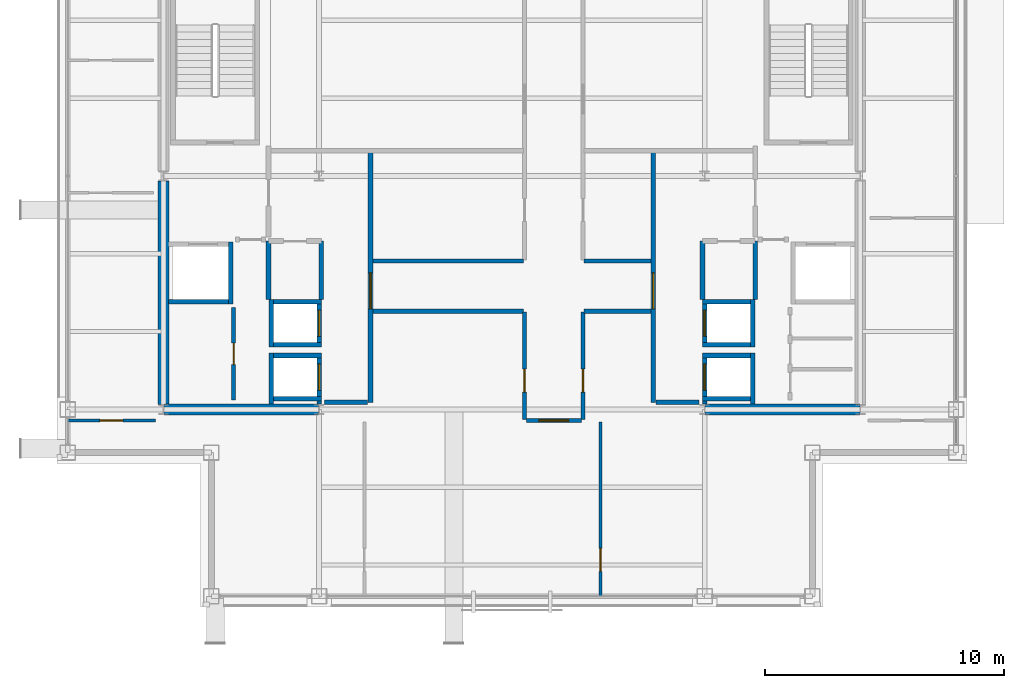
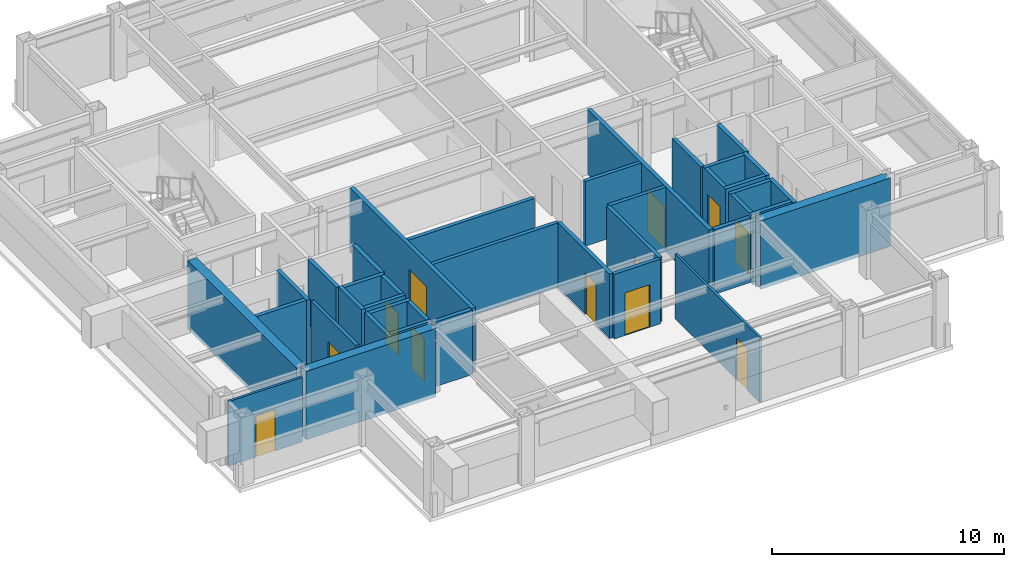
# One storey, part 17 of 20: 39 walls, 12 doors, 12 openings.
"""IFC4 building model written with IfcOpenShell, lengths in metres."""

from ifc_helpers import new_model, si_unit, direction, frame, frame_2d, origin, place, context, subcontext, project, spatial, rectangle, extrude, material, layer, layer_set, type_object, element, fill, save


model = new_model("IFC4")

# Units and contexts
model_context = context("Model", 3, precision=1e-05, world=origin(), true_north=direction((0.0, 1.0)))
body_context = subcontext(model_context, "Body", "Model", "MODEL_VIEW")
ifc_project = project(units=[si_unit("LENGTHUNIT", "METRE"), si_unit("AREAUNIT", "SQUARE_METRE"), si_unit("VOLUMEUNIT", "CUBIC_METRE"), si_unit("PLANEANGLEUNIT", "RADIAN"), si_unit("MASSUNIT", "GRAM", prefix="KILO")], contexts=[model_context])

# Site, building, storey
site_placement = place(None, origin())
site = spatial("IfcSite", under=ifc_project, at=site_placement, CompositionType="ELEMENT")
building_placement = place(site_placement, origin())
building = spatial("IfcBuilding", under=site, at=building_placement, Name="Brelmoor Portico Tower", CompositionType="ELEMENT")
storey_placement = place(building_placement, frame((0.0, 0.0, 243.60009765625)))
storey = spatial("IfcBuildingStorey", under=building, at=storey_placement, Name="L64", CompositionType="ELEMENT", Elevation=243.60009765625)

# Walls
ifc_material_1 = material(Name="Concrete C50", Category="concrete")
ifc_layer_1 = layer(ifc_material_1, 0.449951171875)
ifc_layer_set_1 = layer_set([ifc_layer_1], Name="Concrete C50")
wall_type_1 = type_object("IfcWallType", Name="WL-CORE-450", PredefinedType="SHEAR", material=ifc_layer_set_1)
wall_1_placement = place(storey_placement, frame((-14.530029296875, -9.75, -0.2001953125), z_axis=(0.0, 0.0, 1.0), x_axis=(1.0, 0.0, 0.0)))
element("IfcWall", 1, at=wall_1_placement, inside=storey, type_object=wall_type_1, Name="L64 WC South Shear Wall", PredefinedType="SHEAR", context=body_context, shape_type="SweptSolid", body=[
    extrude(rectangle(XDim=6.4599609375, YDim=0.449951171875, at=frame_2d((3.22998046875, 0.0))), origin(), (0.0, 0.0, 1.0), 3.60009765625),
])
wall_2_placement = place(storey_placement, frame((-14.550048828125, -9.550048828125, -0.2001953125), z_axis=(0.0, 0.0, 1.0), x_axis=(0.0, 1.0, 0.0)))
element("IfcWall", 2, at=wall_2_placement, inside=storey, type_object=wall_type_1, Name="L64 WC Outer South Shear Wall", PredefinedType="SHEAR", context=body_context, shape_type="SweptSolid", body=[
    extrude(rectangle(XDim=9.35009765625, YDim=0.449951171875, at=frame_2d((4.675048828125, 0.0))), origin(), (0.0, 0.0, 1.0), 3.60009765625),
])
wall_3_placement = place(storey_placement, frame((8.070068359375, -9.75, -0.2001953125), z_axis=(0.0, 0.0, 1.0), x_axis=(1.0, 0.0, 0.0)))
element("IfcWall", 3, at=wall_3_placement, inside=storey, type_object=wall_type_1, Name="L64 EC South Shear Wall", PredefinedType="SHEAR", context=body_context, shape_type="SweptSolid", body=[
    extrude(rectangle(XDim=6.4599609375, YDim=0.449951171875, at=frame_2d((3.22998046875, 0.0))), origin(), (0.0, 0.0, 1.0), 3.60009765625),
])

# Wall, opening, door
ifc_material_2 = material(Name="Lightweight Gypsum Office Partition", Category="gypsum")
ifc_layer_2 = layer(ifc_material_2, 0.1201171875)
ifc_layer_set_2 = layer_set([ifc_layer_2], Name="Lightweight Gypsum Office Partition")
wall_type_2 = type_object("IfcWallType", Name="WL-PART-120", PredefinedType="PARTITIONING", material=ifc_layer_set_2)
wall_4_placement = place(storey_placement, frame((3.697509765625, -17.56005859375, 0.0), z_axis=(0.0, 0.0, 1.0), x_axis=(0.0, 1.0, 0.0)))
wall_4 = element("IfcWall", 4, at=wall_4_placement, inside=storey, type_object=wall_type_2, Name="L64 South Suite Partition 2", PredefinedType="PARTITIONING", context=body_context, shape_type="SweptSolid", body=[
    extrude(rectangle(XDim=7.2900390625, YDim=0.1201171875, at=frame_2d((3.64501953125, 0.0))), origin(), (0.0, 0.0, 1.0), 3.39990234375),
])
opening_1_placement = place(wall_4_placement, frame((1.050048828125, 0.0, 0.0)))
opening_1 = element("IfcOpeningElement", 5, at=opening_1_placement, cuts=wall_4, Name="Opening D-IN2", PredefinedType="OPENING", context=body_context, shape_type="SweptSolid", body=[
    extrude(rectangle(XDim=0.9599609375, YDim=2.179931640625, at=frame_2d((0.47998046875, 1.08984375))), frame((0.0, 0.070068359375, 0.0), z_axis=(0.0, -1.0, 0.0), x_axis=(1.0, 0.0, 0.0)), (0.0, 0.0, 1.0), 0.14013671875),
])
ifc_material_3 = material(Name="Lacquered Timber Suite Door", Category="wood")
door_type_1 = type_object("IfcDoorType", Name="DR-INT-950", OperationType="NOTDEFINED", PredefinedType="DOOR", material=ifc_material_3)
door_1_placement = place(opening_1_placement, origin())
door_1 = element("IfcDoor", 6, at=door_1_placement, inside=storey, type_object=door_type_1, Name="D-2657 L64 South Suite Connecting Door 2", OperationType="SINGLE_SWING_LEFT", OverallHeight=2.179931640625, OverallWidth=0.9599609375, PredefinedType="DOOR", context=body_context, shape_type="SweptSolid", body=[
    extrude(rectangle(XDim=0.9599609375, YDim=2.179931640625, at=frame_2d((0.47998046875, 1.08984375))), frame((0.0, 0.02490234375, 0.0), z_axis=(0.0, -1.0, 0.0), x_axis=(1.0, 0.0, 0.0)), (0.0, 0.0, 1.0), 0.050048828125),
])
fill(opening_1, door_1)

wall_5_placement = place(storey_placement, frame((-18.56005859375, -10.2099609375, 0.0), z_axis=(0.0, 0.0, 1.0), x_axis=(1.0, 0.0, 0.0)))
wall_5 = element("IfcWall", 7, at=wall_5_placement, inside=storey, type_object=wall_type_2, Name="L64 South Wing Closure WL", PredefinedType="PARTITIONING", context=body_context, shape_type="SweptSolid", body=[
    extrude(rectangle(XDim=3.68017578125, YDim=0.1201171875, at=frame_2d((1.840087890625, 0.0))), origin(), (0.0, 0.0, 1.0), 3.39990234375),
])
opening_2_placement = place(wall_5_placement, frame((1.360107421875, 0.0, 0.0)))
opening_2 = element("IfcOpeningElement", 8, at=opening_2_placement, cuts=wall_5, Name="Opening D-IN2", PredefinedType="OPENING", context=body_context, shape_type="SweptSolid", body=[
    extrude(rectangle(XDim=0.9599609375, YDim=2.179931640625, at=frame_2d((0.47998046875, 1.08984375))), frame((0.0, 0.070068359375, 0.0), z_axis=(0.0, -1.0, 0.0), x_axis=(1.0, 0.0, 0.0)), (0.0, 0.0, 1.0), 0.14013671875),
])
door_2_placement = place(opening_2_placement, origin())
door_2 = element("IfcDoor", 9, at=door_2_placement, inside=storey, type_object=door_type_1, Name="D-2661 L64 WL Wing South Suite Door", OperationType="SINGLE_SWING_LEFT", OverallHeight=2.179931640625, OverallWidth=0.9599609375, PredefinedType="DOOR", context=body_context, shape_type="SweptSolid", body=[
    extrude(rectangle(XDim=0.9599609375, YDim=2.179931640625, at=frame_2d((0.47998046875, 1.08984375))), frame((0.0, 0.02490234375, 0.0), z_axis=(0.0, -1.0, 0.0), x_axis=(1.0, 0.0, 0.0)), (0.0, 0.0, 1.0), 0.050048828125),
])
fill(opening_2, door_2)

ifc_material_4 = material(Name="Twin-Frame Acoustic Partition", Category="gypsum")
ifc_layer_3 = layer(ifc_material_4, 0.159912109375)
ifc_layer_set_3 = layer_set([ifc_layer_3], Name="Twin-Frame Acoustic Partition")
wall_type_3 = type_object("IfcWallType", Name="WL-PART-160", PredefinedType="PARTITIONING", material=ifc_layer_set_3)
wall_6_placement = place(storey_placement, frame((-11.6201171875, -9.35009765625, 0.0), z_axis=(0.0, 0.0, 1.0), x_axis=(0.0, 1.0, 0.0)))
wall_6 = element("IfcWall", 10, at=wall_6_placement, inside=storey, type_object=wall_type_3, Name="L64 W Core Service Front Wall", PredefinedType="PARTITIONING", context=body_context, shape_type="SweptSolid", body=[
    extrude(rectangle(XDim=3.85009765625, YDim=0.159912109375, at=frame_2d((1.925048828125, 0.0))), origin(), (0.0, 0.0, 1.0), 3.39990234375),
])
opening_3_placement = place(wall_6_placement, frame((1.47509765625, 0.0, 0.0)))
opening_3 = element("IfcOpeningElement", 11, at=opening_3_placement, cuts=wall_6, Name="Opening D-IN1", PredefinedType="OPENING", context=body_context, shape_type="SweptSolid", body=[
    extrude(rectangle(XDim=0.89990234375, YDim=2.14990234375, at=frame_2d((0.449951171875, 1.074951171875))), frame((0.0, 0.08984375, 0.0), z_axis=(0.0, -1.0, 0.0), x_axis=(1.0, 0.0, 0.0)), (0.0, 0.0, 1.0), 0.179931640625),
])
door_type_2 = type_object("IfcDoorType", Name="DR-INT-900", OperationType="NOTDEFINED", PredefinedType="DOOR", material=ifc_material_3)
door_3_placement = place(opening_3_placement, origin())
door_3 = element("IfcDoor", 12, at=door_3_placement, inside=storey, type_object=door_type_2, Name="D-2642 L64 W Accessible WC Door", OperationType="SINGLE_SWING_LEFT", OverallHeight=2.14990234375, OverallWidth=0.89990234375, PredefinedType="DOOR", context=body_context, shape_type="SweptSolid", body=[
    extrude(rectangle(XDim=0.89990234375, YDim=2.14990234375, at=frame_2d((0.449951171875, 1.074951171875))), frame((0.0, 0.02490234375, 0.0), z_axis=(0.0, -1.0, 0.0), x_axis=(1.0, 0.0, 0.0)), (0.0, 0.0, 1.0), 0.050048828125),
])
fill(opening_3, door_3)

# Walls
ifc_material_5 = material(Name="Acoustic Corridor Fire Partition", Category="gypsum")
ifc_layer_4 = layer(ifc_material_5, 0.179931640625)
ifc_layer_set_4 = layer_set([ifc_layer_4], Name="Acoustic Corridor Fire Partition")
wall_type_4 = type_object("IfcWallType", Name="WL-PART-180", PredefinedType="PARTITIONING", material=ifc_layer_set_4)
wall_7_placement = place(storey_placement, frame((-5.800048828125, -3.550048828125, 0.0), z_axis=(0.0, 0.0, 1.0), x_axis=(1.0, 0.0, 0.0)))
element("IfcWall", 13, at=wall_7_placement, inside=storey, type_object=wall_type_4, Name="L64 West Pantry South Wall", PredefinedType="PARTITIONING", context=body_context, shape_type="SweptSolid", body=[
    extrude(rectangle(XDim=6.2900390625, YDim=0.179931640625, at=frame_2d((3.14501953125, 0.0))), origin(), (0.0, 0.0, 1.0), 3.39990234375),
])
wall_8_placement = place(storey_placement, frame((3.010009765625, -3.550048828125, 0.0), z_axis=(0.0, 0.0, 1.0), x_axis=(1.0, 0.0, 0.0)))
element("IfcWall", 14, at=wall_8_placement, inside=storey, type_object=wall_type_4, Name="L64 East Office South Wall", PredefinedType="PARTITIONING", context=body_context, shape_type="SweptSolid", body=[
    extrude(rectangle(XDim=2.7900390625, YDim=0.179931640625, at=frame_2d((1.39501953125, 0.0))), origin(), (0.0, 0.0, 1.0), 3.39990234375),
])

# Wall, opening, door
wall_9_placement = place(storey_placement, frame((0.530029296875, -10.169921875, 0.0), z_axis=(0.0, 0.0, 1.0), x_axis=(0.0, 1.0, 0.0)))
wall_9 = element("IfcWall", 15, at=wall_9_placement, inside=storey, type_object=wall_type_4, Name="L64 South Cross West Wall", PredefinedType="PARTITIONING", context=body_context, shape_type="SweptSolid", body=[
    extrude(rectangle(XDim=4.489990234375, YDim=0.179931640625, at=frame_2d((2.2451171875, 0.0))), origin(), (0.0, 0.0, 1.0), 3.39990234375),
])
opening_4_placement = place(wall_9_placement, frame((1.14990234375, 0.0, 0.0)))
opening_4 = element("IfcOpeningElement", 16, at=opening_4_placement, cuts=wall_9, Name="Opening D-IN2", PredefinedType="OPENING", context=body_context, shape_type="SweptSolid", body=[
    extrude(rectangle(XDim=0.9599609375, YDim=2.179931640625, at=frame_2d((0.47998046875, 1.08984375))), frame((0.0, 0.099853515625, 0.0), z_axis=(0.0, -1.0, 0.0), x_axis=(1.0, 0.0, 0.0)), (0.0, 0.0, 1.0), 0.199951171875),
])
door_4_placement = place(opening_4_placement, origin())
door_4 = element("IfcDoor", 17, at=door_4_placement, inside=storey, type_object=door_type_1, Name="D-2634 L64 South-West Archive Room Door", OperationType="SINGLE_SWING_RIGHT", OverallHeight=2.179931640625, OverallWidth=0.9599609375, PredefinedType="DOOR", context=body_context, shape_type="SweptSolid", body=[
    extrude(rectangle(XDim=0.9599609375, YDim=2.179931640625, at=frame_2d((0.47998046875, 1.08984375))), frame((0.0, 0.02490234375, 0.0), z_axis=(0.0, -1.0, 0.0), x_axis=(1.0, 0.0, 0.0)), (0.0, 0.0, 1.0), 0.050048828125),
])
fill(opening_4, door_4)

wall_10_placement = place(storey_placement, frame((2.969970703125, -10.169921875, 0.0), z_axis=(0.0, 0.0, 1.0), x_axis=(0.0, 1.0, 0.0)))
wall_10 = element("IfcWall", 18, at=wall_10_placement, inside=storey, type_object=wall_type_4, Name="L64 South Cross East Wall", PredefinedType="PARTITIONING", context=body_context, shape_type="SweptSolid", body=[
    extrude(rectangle(XDim=4.489990234375, YDim=0.179931640625, at=frame_2d((2.2451171875, 0.0))), origin(), (0.0, 0.0, 1.0), 3.39990234375),
])
opening_5_placement = place(wall_10_placement, frame((1.14990234375, 0.0, 0.0)))
opening_5 = element("IfcOpeningElement", 19, at=opening_5_placement, cuts=wall_10, Name="Opening D-IN2", PredefinedType="OPENING", context=body_context, shape_type="SweptSolid", body=[
    extrude(rectangle(XDim=0.9599609375, YDim=2.179931640625, at=frame_2d((0.47998046875, 1.08984375))), frame((0.0, 0.099853515625, 0.0), z_axis=(0.0, -1.0, 0.0), x_axis=(1.0, 0.0, 0.0)), (0.0, 0.0, 1.0), 0.199951171875),
])
door_5_placement = place(opening_5_placement, origin())
door_5 = element("IfcDoor", 20, at=door_5_placement, inside=storey, type_object=door_type_1, Name="D-2633 L64 South-East Partner Office Door", OperationType="SINGLE_SWING_LEFT", OverallHeight=2.179931640625, OverallWidth=0.9599609375, PredefinedType="DOOR", context=body_context, shape_type="SweptSolid", body=[
    extrude(rectangle(XDim=0.9599609375, YDim=2.179931640625, at=frame_2d((0.47998046875, 1.08984375))), frame((0.0, 0.02490234375, 0.0), z_axis=(0.0, -1.0, 0.0), x_axis=(1.0, 0.0, 0.0)), (0.0, 0.0, 1.0), 0.050048828125),
])
fill(opening_5, door_5)

# Walls
wall_11_placement = place(storey_placement, frame((-5.800048828125, -5.64990234375, 0.0), z_axis=(0.0, 0.0, 1.0), x_axis=(1.0, 0.0, 0.0)))
element("IfcWall", 21, at=wall_11_placement, inside=storey, type_object=wall_type_4, Name="L64 South-West Chamber Top Wall", PredefinedType="PARTITIONING", context=body_context, shape_type="SweptSolid", body=[
    extrude(rectangle(XDim=6.2900390625, YDim=0.179931640625, at=frame_2d((3.14501953125, 0.0))), origin(), (0.0, 0.0, 1.0), 3.39990234375),
])
wall_12_placement = place(storey_placement, frame((3.010009765625, -5.64990234375, 0.0), z_axis=(0.0, 0.0, 1.0), x_axis=(1.0, 0.0, 0.0)))
element("IfcWall", 22, at=wall_12_placement, inside=storey, type_object=wall_type_4, Name="L64 South-East Chamber Top Wall", PredefinedType="PARTITIONING", context=body_context, shape_type="SweptSolid", body=[
    extrude(rectangle(XDim=2.7900390625, YDim=0.179931640625, at=frame_2d((1.39501953125, 0.0))), origin(), (0.0, 0.0, 1.0), 3.39990234375),
])

# Wall, opening, door
wall_13_placement = place(storey_placement, frame((0.60009765625, -10.2099609375, 0.0), z_axis=(0.0, 0.0, 1.0), x_axis=(1.0, 0.0, 0.0)))
wall_13 = element("IfcWall", 23, at=wall_13_placement, inside=storey, type_object=wall_type_4, Name="L64 South Corridor Partition", PredefinedType="PARTITIONING", context=body_context, shape_type="SweptSolid", body=[
    extrude(rectangle(XDim=2.2998046875, YDim=0.179931640625, at=frame_2d((1.14990234375, 0.0))), origin(), (0.0, 0.0, 1.0), 3.39990234375),
])
opening_6_placement = place(wall_13_placement, frame((0.530029296875, 0.0, 0.0)))
opening_6 = element("IfcOpeningElement", 24, at=opening_6_placement, cuts=wall_13, Name="Opening D-SU1", PredefinedType="OPENING", context=body_context, shape_type="SweptSolid", body=[
    extrude(rectangle(XDim=1.239990234375, YDim=2.239990234375, at=frame_2d((0.6201171875, 1.1201171875))), frame((0.0, 0.099853515625, 0.0), z_axis=(0.0, -1.0, 0.0), x_axis=(1.0, 0.0, 0.0)), (0.0, 0.0, 1.0), 0.199951171875),
])
ifc_material_6 = material(Name="Glazed Timber Executive Suite Door", Category="wood")
door_type_3 = type_object("IfcDoorType", Name="DR-SUITE-1200", OperationType="NOTDEFINED", PredefinedType="DOOR", material=ifc_material_6)
door_6_placement = place(opening_6_placement, origin())
door_6 = element("IfcDoor", 25, at=door_6_placement, inside=storey, type_object=door_type_3, Name="D-2655 L64 South Design Workshop 2 Door", OperationType="SINGLE_SWING_RIGHT", OverallHeight=2.239990234375, OverallWidth=1.239990234375, PredefinedType="DOOR", context=body_context, shape_type="SweptSolid", body=[
    extrude(rectangle(XDim=1.239990234375, YDim=2.239990234375, at=frame_2d((0.6201171875, 1.1201171875))), frame((0.0, 0.02490234375, 0.0), z_axis=(0.0, -1.0, 0.0), x_axis=(1.0, 0.0, 0.0)), (0.0, 0.0, 1.0), 0.050048828125),
])
fill(opening_6, door_6)

ifc_material_7 = material(Name="Double-Stud Gypsum Fire Partition", Category="gypsum")
ifc_layer_5 = layer(ifc_material_7, 0.199951171875)
ifc_layer_set_5 = layer_set([ifc_layer_5], Name="Double-Stud Gypsum Fire Partition")
wall_type_5 = type_object("IfcWallType", Name="WL-PART-200", PredefinedType="PARTITIONING", material=ifc_layer_set_5)
wall_14_placement = place(storey_placement, frame((-5.89990234375, -9.449951171875, 0.0), z_axis=(0.0, 0.0, 1.0), x_axis=(0.0, 1.0, 0.0)))
wall_14 = element("IfcWall", 26, at=wall_14_placement, inside=storey, type_object=wall_type_5, Name="L64 W Core Lobby Compartment Wall", PredefinedType="PARTITIONING", context=body_context, shape_type="SweptSolid", body=[
    extrude(rectangle(XDim=10.5, YDim=0.199951171875, at=frame_2d((5.25, 0.0))), origin(), (0.0, 0.0, 1.0), 3.39990234375),
])
opening_7_placement = place(wall_14_placement, frame((3.89990234375, 0.0, 0.0)))
opening_7 = element("IfcOpeningElement", 27, at=opening_7_placement, cuts=wall_14, Name="Opening D-LB1", PredefinedType="OPENING", context=body_context, shape_type="SweptSolid", body=[
    extrude(rectangle(XDim=1.5, YDim=2.199951171875, at=frame_2d((0.75, 1.10009765625))), frame((0.0, 0.10986328125, 0.0), z_axis=(0.0, -1.0, 0.0), x_axis=(1.0, 0.0, 0.0)), (0.0, 0.0, 1.0), 0.219970703125),
])
ifc_material_8 = material(Name="Double-Leaf Glazed Steel Fire Door", Category="steel")
door_type_4 = type_object("IfcDoorType", Name="DR-LOBBY-1500", OperationType="NOTDEFINED", PredefinedType="DOOR", material=ifc_material_8)
door_7_placement = place(opening_7_placement, origin())
door_7 = element("IfcDoor", 28, at=door_7_placement, inside=storey, type_object=door_type_4, Name="D-2648 L64 W Lift Lobby Main Door", OperationType="DOUBLE_DOOR_SINGLE_SWING", OverallHeight=2.199951171875, OverallWidth=1.5, PredefinedType="DOOR", context=body_context, shape_type="SweptSolid", body=[
    extrude(rectangle(XDim=1.5, YDim=2.199951171875, at=frame_2d((0.75, 1.10009765625))), frame((0.0, 0.02490234375, 0.0), z_axis=(0.0, -1.0, 0.0), x_axis=(1.0, 0.0, 0.0)), (0.0, 0.0, 1.0), 0.050048828125),
])
fill(opening_7, door_7)

# Walls
wall_15_placement = place(storey_placement, frame((-6.02001953125, -9.449951171875, 0.0), z_axis=(0.0, 0.0, 1.0), x_axis=(-1.0, 0.0, 0.0)))
element("IfcWall", 29, at=wall_15_placement, inside=storey, type_object=wall_type_5, Name="L64 W Lift Lobby South End Wall", PredefinedType="PARTITIONING", context=body_context, shape_type="SweptSolid", body=[
    extrude(rectangle(XDim=1.800048828125, YDim=0.199951171875, at=frame_2d((0.89990234375, 0.0))), origin(), (0.0, 0.0, 1.0), 3.39990234375),
])
for number, where, z_axis, x_axis, name in (
    (30, (-7.9599609375, -5.159912109375, 0.0), (0.0, 0.0, 1.0), (0.0, 1.0, 0.0), "L64 W Electrical Switchgear Closet Inner Wall"),
    (31, (-10.159912109375, -5.159912109375, 0.0), (0.0, 0.0, 1.0), (0.0, 1.0, 0.0), "L64 W Electrical Switchgear Closet Outer Wall"),
):
    element("IfcWall", number, at=place(storey_placement, frame(where, z_axis=z_axis, x_axis=x_axis)), inside=storey, type_object=wall_type_5, Name=name, PredefinedType="PARTITIONING", context=body_context, shape_type="SweptSolid", body=[
        extrude(rectangle(XDim=2.43994140625, YDim=0.199951171875, at=frame_2d((1.219970703125, 0.0))), origin(), (0.0, 0.0, 1.0), 3.39990234375),
    ])

# Wall, opening, door
wall_16_placement = place(storey_placement, frame((5.89990234375, -9.449951171875, 0.0), z_axis=(0.0, 0.0, 1.0), x_axis=(0.0, 1.0, 0.0)))
wall_16 = element("IfcWall", 32, at=wall_16_placement, inside=storey, type_object=wall_type_5, Name="L64 E Core Lobby Compartment Wall", PredefinedType="PARTITIONING", context=body_context, shape_type="SweptSolid", body=[
    extrude(rectangle(XDim=10.5, YDim=0.199951171875, at=frame_2d((5.25, 0.0))), origin(), (0.0, 0.0, 1.0), 3.39990234375),
])
opening_8_placement = place(wall_16_placement, frame((3.89990234375, 0.0, 0.0)))
opening_8 = element("IfcOpeningElement", 33, at=opening_8_placement, cuts=wall_16, Name="Opening D-LB1", PredefinedType="OPENING", context=body_context, shape_type="SweptSolid", body=[
    extrude(rectangle(XDim=1.5, YDim=2.199951171875, at=frame_2d((0.75, 1.10009765625))), frame((0.0, 0.10986328125, 0.0), z_axis=(0.0, -1.0, 0.0), x_axis=(1.0, 0.0, 0.0)), (0.0, 0.0, 1.0), 0.219970703125),
])
door_8_placement = place(opening_8_placement, origin())
door_8 = element("IfcDoor", 34, at=door_8_placement, inside=storey, type_object=door_type_4, Name="D-2647 L64 E Lift Lobby Main Door", OperationType="DOUBLE_DOOR_SINGLE_SWING", OverallHeight=2.199951171875, OverallWidth=1.5, PredefinedType="DOOR", context=body_context, shape_type="SweptSolid", body=[
    extrude(rectangle(XDim=1.5, YDim=2.199951171875, at=frame_2d((0.75, 1.10009765625))), frame((0.0, 0.02490234375, 0.0), z_axis=(0.0, -1.0, 0.0), x_axis=(1.0, 0.0, 0.0)), (0.0, 0.0, 1.0), 0.050048828125),
])
fill(opening_8, door_8)

# Walls
wall_17_placement = place(storey_placement, frame((6.02001953125, -9.449951171875, 0.0), z_axis=(0.0, 0.0, 1.0), x_axis=(1.0, 0.0, 0.0)))
element("IfcWall", 35, at=wall_17_placement, inside=storey, type_object=wall_type_5, Name="L64 E Lift Lobby South End Wall", PredefinedType="PARTITIONING", context=body_context, shape_type="SweptSolid", body=[
    extrude(rectangle(XDim=1.800048828125, YDim=0.199951171875, at=frame_2d((0.89990234375, 0.0))), origin(), (0.0, 0.0, 1.0), 3.39990234375),
])
for number, where, z_axis, x_axis, name in (
    (36, (7.9599609375, -5.159912109375, 0.0), (0.0, 0.0, 1.0), (0.0, 1.0, 0.0), "L64 E Electrical Switchgear Closet Inner Wall"),
    (37, (10.159912109375, -5.159912109375, 0.0), (0.0, 0.0, 1.0), (0.0, 1.0, 0.0), "L64 E Electrical Switchgear Closet Outer Wall"),
):
    element("IfcWall", number, at=place(storey_placement, frame(where, z_axis=z_axis, x_axis=x_axis)), inside=storey, type_object=wall_type_5, Name=name, PredefinedType="PARTITIONING", context=body_context, shape_type="SweptSolid", body=[
        extrude(rectangle(XDim=2.43994140625, YDim=0.199951171875, at=frame_2d((1.219970703125, 0.0))), origin(), (0.0, 0.0, 1.0), 3.39990234375),
    ])

# Wall, opening, door
ifc_material_9 = material(Name="Precast Concrete C40", Category="concrete")
ifc_layer_6 = layer(ifc_material_9, 0.18994140625)
ifc_layer_set_6 = layer_set([ifc_layer_6], Name="Precast Concrete C40")
wall_type_6 = type_object("IfcWallType", Name="WL-SHAFT-180", PredefinedType="SOLIDWALL", material=ifc_layer_set_6)
wall_18_placement = place(storey_placement, frame((-8.044921875, -9.52001953125, -0.2001953125), z_axis=(0.0, 0.0, 1.0), x_axis=(0.0, 1.0, 0.0)))
wall_18 = element("IfcWall", 38, at=wall_18_placement, inside=storey, type_object=wall_type_6, Name="L64 Lift PH1 Hoistway Front Wall", PredefinedType="SOLIDWALL", context=body_context, shape_type="SweptSolid", body=[
    extrude(rectangle(XDim=2.1201171875, YDim=0.18994140625, at=frame_2d((1.06005859375, 0.0))), origin(), (0.0, 0.0, 1.0), 3.60009765625),
])
opening_9_placement = place(wall_18_placement, frame((0.570068359375, 0.0, 0.199951171875)))
opening_9 = element("IfcOpeningElement", 39, at=opening_9_placement, cuts=wall_18, Name="Opening LD-01", PredefinedType="OPENING", context=body_context, shape_type="SweptSolid", body=[
    extrude(rectangle(XDim=1.10009765625, YDim=2.199951171875, at=frame_2d((0.550048828125, 1.10009765625))), frame((0.0, 0.10498046875, 0.0), z_axis=(0.0, -1.0, 0.0), x_axis=(1.0, 0.0, 0.0)), (0.0, 0.0, 1.0), 0.2099609375),
])
ifc_material_10 = material(Name="Brushed Stainless Steel Sliding Lift Door", Category="steel")
door_type_5 = type_object("IfcDoorType", Name="DR-LIFT-1100", OperationType="NOTDEFINED", PredefinedType="DOOR", material=ifc_material_10)
door_9_placement = place(opening_9_placement, origin())
door_9 = element("IfcDoor", 40, at=door_9_placement, inside=storey, type_object=door_type_5, Name="D-2667 L64 Lift PH1 Sliding Landing Door", OperationType="SLIDING_TO_LEFT", OverallHeight=2.199951171875, OverallWidth=1.10009765625, PredefinedType="DOOR", context=body_context, shape_type="SweptSolid", body=[
    extrude(rectangle(XDim=1.10009765625, YDim=2.199951171875, at=frame_2d((0.550048828125, 1.10009765625))), frame((0.0, 0.02490234375, 0.0), z_axis=(0.0, -1.0, 0.0), x_axis=(1.0, 0.0, 0.0)), (0.0, 0.0, 1.0), 0.050048828125),
])
fill(opening_9, door_9)

# Walls
wall_19_placement = place(storey_placement, frame((-10.054931640625, -9.52001953125, -0.2001953125), z_axis=(0.0, 0.0, 1.0), x_axis=(0.0, 1.0, 0.0)))
element("IfcWall", 41, at=wall_19_placement, inside=storey, type_object=wall_type_6, Name="L64 Lift PH1 Hoistway Back Wall", PredefinedType="SOLIDWALL", context=body_context, shape_type="SweptSolid", body=[
    extrude(rectangle(XDim=2.1201171875, YDim=0.18994140625, at=frame_2d((1.06005859375, 0.0))), origin(), (0.0, 0.0, 1.0), 3.60009765625),
])
for number, where, z_axis, x_axis, name in (
    (42, (-10.14990234375, -7.4951171875, -0.2001953125), (0.0, 0.0, 1.0), (1.0, 0.0, 0.0), "L64 Lift PH1 Hoistway North Wall"),
    (43, (-10.14990234375, -9.304931640625, -0.2001953125), (0.0, 0.0, 1.0), (1.0, 0.0, 0.0), "L64 Lift PH1 Hoistway South Wall"),
):
    element("IfcWall", number, at=place(storey_placement, frame(where, z_axis=z_axis, x_axis=x_axis)), inside=storey, type_object=wall_type_6, Name=name, PredefinedType="SOLIDWALL", context=body_context, shape_type="SweptSolid", body=[
        extrude(rectangle(XDim=2.199951171875, YDim=0.18994140625, at=frame_2d((1.10009765625, 0.0))), origin(), (0.0, 0.0, 1.0), 3.60009765625),
    ])

# Wall, opening, door
wall_20_placement = place(storey_placement, frame((-8.044921875, -7.14990234375, -0.2001953125), z_axis=(0.0, 0.0, 1.0), x_axis=(0.0, 1.0, 0.0)))
wall_20 = element("IfcWall", 44, at=wall_20_placement, inside=storey, type_object=wall_type_6, Name="L64 Lift PH2 Hoistway Front Wall", PredefinedType="SOLIDWALL", context=body_context, shape_type="SweptSolid", body=[
    extrude(rectangle(XDim=2.0, YDim=0.18994140625, at=frame_2d((1.0, 0.0))), origin(), (0.0, 0.0, 1.0), 3.60009765625),
])
opening_10_placement = place(wall_20_placement, frame((0.449951171875, 0.0, 0.199951171875)))
opening_10 = element("IfcOpeningElement", 45, at=opening_10_placement, cuts=wall_20, Name="Opening LD-01", PredefinedType="OPENING", context=body_context, shape_type="SweptSolid", body=[
    extrude(rectangle(XDim=1.10009765625, YDim=2.199951171875, at=frame_2d((0.550048828125, 1.10009765625))), frame((0.0, 0.10498046875, 0.0), z_axis=(0.0, -1.0, 0.0), x_axis=(1.0, 0.0, 0.0)), (0.0, 0.0, 1.0), 0.2099609375),
])
door_10_placement = place(opening_10_placement, origin())
door_10 = element("IfcDoor", 46, at=door_10_placement, inside=storey, type_object=door_type_5, Name="D-2668 L64 Lift PH2 Sliding Landing Door", OperationType="SLIDING_TO_LEFT", OverallHeight=2.199951171875, OverallWidth=1.10009765625, PredefinedType="DOOR", context=body_context, shape_type="SweptSolid", body=[
    extrude(rectangle(XDim=1.10009765625, YDim=2.199951171875, at=frame_2d((0.550048828125, 1.10009765625))), frame((0.0, 0.02490234375, 0.0), z_axis=(0.0, -1.0, 0.0), x_axis=(1.0, 0.0, 0.0)), (0.0, 0.0, 1.0), 0.050048828125),
])
fill(opening_10, door_10)

# Walls
wall_21_placement = place(storey_placement, frame((-10.054931640625, -7.14990234375, -0.2001953125), z_axis=(0.0, 0.0, 1.0), x_axis=(0.0, 1.0, 0.0)))
element("IfcWall", 47, at=wall_21_placement, inside=storey, type_object=wall_type_6, Name="L64 Lift PH2 Hoistway Back Wall", PredefinedType="SOLIDWALL", context=body_context, shape_type="SweptSolid", body=[
    extrude(rectangle(XDim=2.0, YDim=0.18994140625, at=frame_2d((1.0, 0.0))), origin(), (0.0, 0.0, 1.0), 3.60009765625),
])
for number, where, z_axis, x_axis, name in (
    (48, (-10.14990234375, -5.2451171875, -0.2001953125), (0.0, 0.0, 1.0), (1.0, 0.0, 0.0), "L64 Lift PH2 Hoistway North Wall"),
    (49, (-10.14990234375, -7.054931640625, -0.2001953125), (0.0, 0.0, 1.0), (1.0, 0.0, 0.0), "L64 Lift PH2 Hoistway South Wall"),
):
    element("IfcWall", number, at=place(storey_placement, frame(where, z_axis=z_axis, x_axis=x_axis)), inside=storey, type_object=wall_type_6, Name=name, PredefinedType="SOLIDWALL", context=body_context, shape_type="SweptSolid", body=[
        extrude(rectangle(XDim=2.199951171875, YDim=0.18994140625, at=frame_2d((1.10009765625, 0.0))), origin(), (0.0, 0.0, 1.0), 3.60009765625),
    ])

# Wall, opening, door
wall_22_placement = place(storey_placement, frame((8.044921875, -9.52001953125, -0.2001953125), z_axis=(0.0, 0.0, 1.0), x_axis=(0.0, 1.0, 0.0)))
wall_22 = element("IfcWall", 50, at=wall_22_placement, inside=storey, type_object=wall_type_6, Name="L64 Lift PH3 Hoistway Front Wall", PredefinedType="SOLIDWALL", context=body_context, shape_type="SweptSolid", body=[
    extrude(rectangle(XDim=2.1201171875, YDim=0.18994140625, at=frame_2d((1.06005859375, 0.0))), origin(), (0.0, 0.0, 1.0), 3.60009765625),
])
opening_11_placement = place(wall_22_placement, frame((0.570068359375, 0.0, 0.199951171875)))
opening_11 = element("IfcOpeningElement", 51, at=opening_11_placement, cuts=wall_22, Name="Opening LD-01", PredefinedType="OPENING", context=body_context, shape_type="SweptSolid", body=[
    extrude(rectangle(XDim=1.10009765625, YDim=2.199951171875, at=frame_2d((0.550048828125, 1.10009765625))), frame((0.0, 0.10498046875, 0.0), z_axis=(0.0, -1.0, 0.0), x_axis=(1.0, 0.0, 0.0)), (0.0, 0.0, 1.0), 0.2099609375),
])
door_11_placement = place(opening_11_placement, origin())
door_11 = element("IfcDoor", 52, at=door_11_placement, inside=storey, type_object=door_type_5, Name="D-2669 L64 Lift PH3 Sliding Landing Door", OperationType="SLIDING_TO_LEFT", OverallHeight=2.199951171875, OverallWidth=1.10009765625, PredefinedType="DOOR", context=body_context, shape_type="SweptSolid", body=[
    extrude(rectangle(XDim=1.10009765625, YDim=2.199951171875, at=frame_2d((0.550048828125, 1.10009765625))), frame((0.0, 0.02490234375, 0.0), z_axis=(0.0, -1.0, 0.0), x_axis=(1.0, 0.0, 0.0)), (0.0, 0.0, 1.0), 0.050048828125),
])
fill(opening_11, door_11)

# Walls
wall_23_placement = place(storey_placement, frame((10.054931640625, -9.52001953125, -0.2001953125), z_axis=(0.0, 0.0, 1.0), x_axis=(0.0, 1.0, 0.0)))
element("IfcWall", 53, at=wall_23_placement, inside=storey, type_object=wall_type_6, Name="L64 Lift PH3 Hoistway Back Wall", PredefinedType="SOLIDWALL", context=body_context, shape_type="SweptSolid", body=[
    extrude(rectangle(XDim=2.1201171875, YDim=0.18994140625, at=frame_2d((1.06005859375, 0.0))), origin(), (0.0, 0.0, 1.0), 3.60009765625),
])
for number, where, z_axis, x_axis, name in (
    (54, (7.949951171875, -7.4951171875, -0.2001953125), (0.0, 0.0, 1.0), (1.0, 0.0, 0.0), "L64 Lift PH3 Hoistway North Wall"),
    (55, (7.949951171875, -9.304931640625, -0.2001953125), (0.0, 0.0, 1.0), (1.0, 0.0, 0.0), "L64 Lift PH3 Hoistway South Wall"),
):
    element("IfcWall", number, at=place(storey_placement, frame(where, z_axis=z_axis, x_axis=x_axis)), inside=storey, type_object=wall_type_6, Name=name, PredefinedType="SOLIDWALL", context=body_context, shape_type="SweptSolid", body=[
        extrude(rectangle(XDim=2.199951171875, YDim=0.18994140625, at=frame_2d((1.10009765625, 0.0))), origin(), (0.0, 0.0, 1.0), 3.60009765625),
    ])

# Wall, opening, door
wall_24_placement = place(storey_placement, frame((8.044921875, -7.14990234375, -0.2001953125), z_axis=(0.0, 0.0, 1.0), x_axis=(0.0, 1.0, 0.0)))
wall_24 = element("IfcWall", 56, at=wall_24_placement, inside=storey, type_object=wall_type_6, Name="L64 Lift PH4 Hoistway Front Wall", PredefinedType="SOLIDWALL", context=body_context, shape_type="SweptSolid", body=[
    extrude(rectangle(XDim=2.0, YDim=0.18994140625, at=frame_2d((1.0, 0.0))), origin(), (0.0, 0.0, 1.0), 3.60009765625),
])
opening_12_placement = place(wall_24_placement, frame((0.449951171875, 0.0, 0.199951171875)))
opening_12 = element("IfcOpeningElement", 57, at=opening_12_placement, cuts=wall_24, Name="Opening LD-01", PredefinedType="OPENING", context=body_context, shape_type="SweptSolid", body=[
    extrude(rectangle(XDim=1.10009765625, YDim=2.199951171875, at=frame_2d((0.550048828125, 1.10009765625))), frame((0.0, 0.10498046875, 0.0), z_axis=(0.0, -1.0, 0.0), x_axis=(1.0, 0.0, 0.0)), (0.0, 0.0, 1.0), 0.2099609375),
])
door_12_placement = place(opening_12_placement, origin())
door_12 = element("IfcDoor", 58, at=door_12_placement, inside=storey, type_object=door_type_5, Name="D-2670 L64 Lift PH4 Sliding Landing Door", OperationType="SLIDING_TO_LEFT", OverallHeight=2.199951171875, OverallWidth=1.10009765625, PredefinedType="DOOR", context=body_context, shape_type="SweptSolid", body=[
    extrude(rectangle(XDim=1.10009765625, YDim=2.199951171875, at=frame_2d((0.550048828125, 1.10009765625))), frame((0.0, 0.02490234375, 0.0), z_axis=(0.0, -1.0, 0.0), x_axis=(1.0, 0.0, 0.0)), (0.0, 0.0, 1.0), 0.050048828125),
])
fill(opening_12, door_12)

# Walls
wall_25_placement = place(storey_placement, frame((10.054931640625, -7.14990234375, -0.2001953125), z_axis=(0.0, 0.0, 1.0), x_axis=(0.0, 1.0, 0.0)))
element("IfcWall", 59, at=wall_25_placement, inside=storey, type_object=wall_type_6, Name="L64 Lift PH4 Hoistway Back Wall", PredefinedType="SOLIDWALL", context=body_context, shape_type="SweptSolid", body=[
    extrude(rectangle(XDim=2.0, YDim=0.18994140625, at=frame_2d((1.0, 0.0))), origin(), (0.0, 0.0, 1.0), 3.60009765625),
])
for number, where, z_axis, x_axis, name in (
    (60, (7.949951171875, -5.2451171875, -0.2001953125), (0.0, 0.0, 1.0), (1.0, 0.0, 0.0), "L64 Lift PH4 Hoistway North Wall"),
    (61, (7.949951171875, -7.054931640625, -0.2001953125), (0.0, 0.0, 1.0), (1.0, 0.0, 0.0), "L64 Lift PH4 Hoistway South Wall"),
):
    element("IfcWall", number, at=place(storey_placement, frame(where, z_axis=z_axis, x_axis=x_axis)), inside=storey, type_object=wall_type_6, Name=name, PredefinedType="SOLIDWALL", context=body_context, shape_type="SweptSolid", body=[
        extrude(rectangle(XDim=2.199951171875, YDim=0.18994140625, at=frame_2d((1.10009765625, 0.0))), origin(), (0.0, 0.0, 1.0), 3.60009765625),
    ])
wall_26_placement = place(storey_placement, frame((-14.330078125, -5.2548828125, -0.2001953125), z_axis=(0.0, 0.0, 1.0), x_axis=(1.0, 0.0, 0.0)))
element("IfcWall", 62, at=wall_26_placement, inside=storey, type_object=wall_type_6, Name="L64 Firefighting Lift FF1 South Wall", PredefinedType="SOLIDWALL", context=body_context, shape_type="SweptSolid", body=[
    extrude(rectangle(XDim=2.68017578125, YDim=0.18994140625, at=frame_2d((1.340087890625, 0.0))), origin(), (0.0, 0.0, 1.0), 3.60009765625),
])
wall_27_placement = place(storey_placement, frame((-11.7451171875, -5.35009765625, -0.2001953125), z_axis=(0.0, 0.0, 1.0), x_axis=(0.0, 1.0, 0.0)))
element("IfcWall", 63, at=wall_27_placement, inside=storey, type_object=wall_type_6, Name="L64 Firefighting Lift FF1 Inner Wall", PredefinedType="SOLIDWALL", context=body_context, shape_type="SweptSolid", body=[
    extrude(rectangle(XDim=2.60009765625, YDim=0.18994140625, at=frame_2d((1.300048828125, 0.0))), origin(), (0.0, 0.0, 1.0), 3.60009765625),
])

save(model, "model.ifc")
